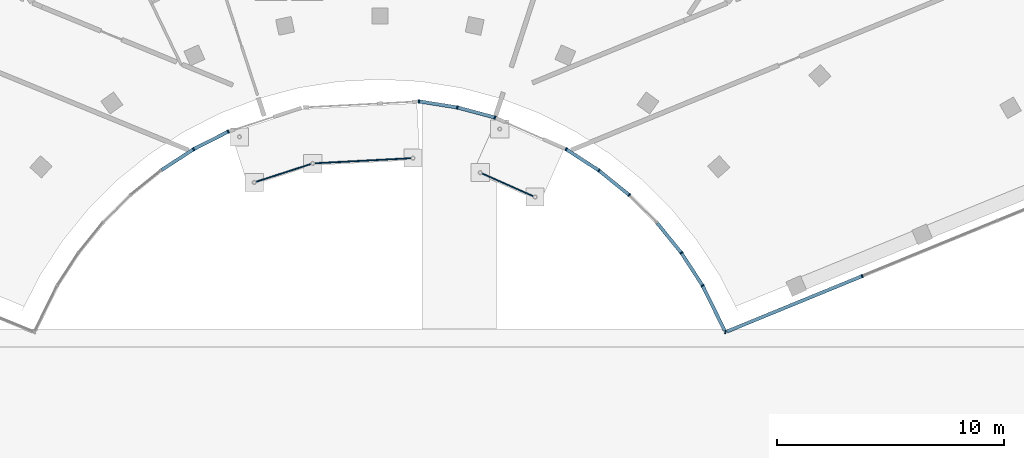
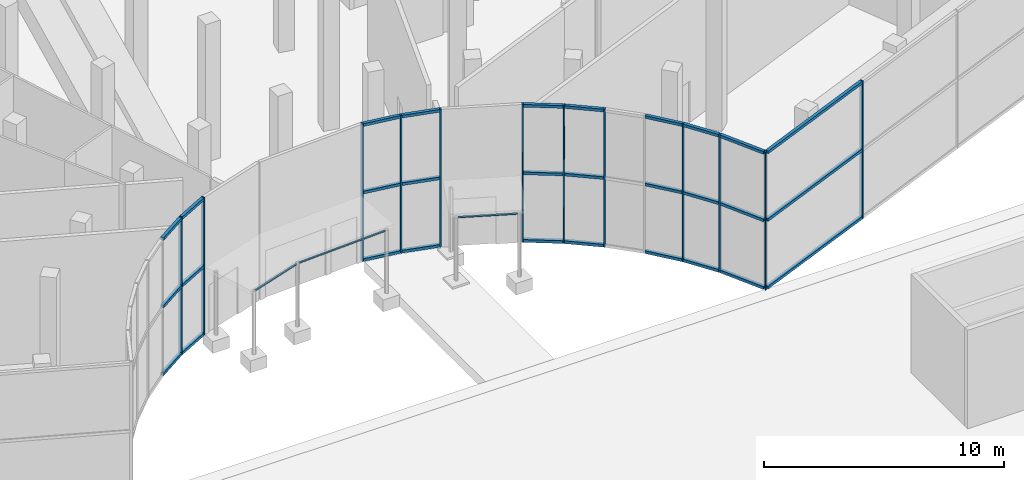
# One storey, part 10 of 60: 45 members, 2 elements without a shape of their own.
"""IFC4 building model written with IfcOpenShell, lengths in metres."""

from ifc_helpers import new_model, si_unit, direction, frame, origin, origin_2d, place, context, subcontext, project, spatial, rectangle, extrude, material, layer, layer_set, material_profile, profile_set, type_object, element, aggregate, save


model = new_model("IFC4")

# Units and contexts
model_context = context("Model", 3, precision=1e-05, world=origin(), true_north=direction((0.0, 1.0)))
body_context = subcontext(model_context, "Body", "Model", "MODEL_VIEW")
ifc_project = project(units=[si_unit("LENGTHUNIT", "METRE"), si_unit("AREAUNIT", "SQUARE_METRE"), si_unit("VOLUMEUNIT", "CUBIC_METRE"), si_unit("PLANEANGLEUNIT", "RADIAN"), si_unit("MASSUNIT", "GRAM", prefix="KILO")], contexts=[model_context])

# Site, building, storey
site_placement = place(None, origin())
site = spatial("IfcSite", under=ifc_project, at=site_placement, CompositionType="ELEMENT")
building_placement = place(site_placement, origin())
building = spatial("IfcBuilding", under=site, at=building_placement, Name="Stone Belt Terrace Tower", CompositionType="ELEMENT")
storey_placement = place(building_placement, origin())
storey = spatial("IfcBuildingStorey", under=building, at=storey_placement, Name="L00", CompositionType="ELEMENT", Elevation=0.0)

# Curtain wall, members
ifc_material_1 = material(Name="Aluminium 6063-T6 anodised frame", Category="aluminium")
ifc_layer = layer(ifc_material_1, 0.14990234375)
ifc_layer_set = layer_set([ifc_layer], Name="CW-D podium shopfront")
curtain_wall_type = type_object("IfcCurtainWallType", Name="CW-D podium shopfront", PredefinedType="NOTDEFINED", material=ifc_layer_set)
curtain_wall_1_placement = place(storey_placement, origin())
curtain_wall_1 = element("IfcCurtainWall", 1, at=curtain_wall_1_placement, inside=storey, type_object=curtain_wall_type, Name="CW-D concave face L00", PredefinedType="NOTDEFINED")
ifc_material_profile_1 = material_profile(ifc_material_1, rectangle(XDim=0.14990234375, YDim=0.06005859375, at=origin_2d()), Name="Aluminium 6063-T6 60x150")
ifc_profile_set_1 = profile_set([ifc_material_profile_1], Name="Aluminium 6063-T6 anodised frame")
member_type_1 = type_object("IfcMemberType", Name="CW-D mullion 60 x 150", PredefinedType="MULLION", material=ifc_profile_set_1)
member_1_placement = place(storey_placement, frame((-8.21240234375, 14.224365234375, 0.0), z_axis=(0.0, 0.0, 1.0), x_axis=(-0.5, 0.866025403784, 0.0)))
member_1 = element("IfcMember", 2, at=member_1_placement, type_object=member_type_1, Name="CW-D mullion 7", PredefinedType="MULLION", context=body_context, shape_type="SweptSolid", body=[
    extrude(rectangle(XDim=0.14990234375, YDim=0.06005859375, at=origin_2d()), origin(), (0.0, 0.0, 1.0), 7.0),
])
member_2_placement = place(storey_placement, frame((-6.682373046875, 15.00390625, 0.0), z_axis=(0.0, 0.0, 1.0), x_axis=(-0.382683432365, 0.923879532511, 0.0)))
member_2 = element("IfcMember", 3, at=member_2_placement, type_object=member_type_1, Name="CW-D mullion 8", PredefinedType="MULLION", context=body_context, shape_type="SweptSolid", body=[
    extrude(rectangle(XDim=0.14990234375, YDim=0.06005859375, at=origin_2d()), origin(), (0.0, 0.0, 1.0), 7.0),
])
member_3_placement = place(storey_placement, frame((1.720703125, 16.334228515625, 0.0), z_axis=(0.0, 0.0, 1.0), x_axis=(0.052335956243, 0.998629534755, 0.0)))
member_3 = element("IfcMember", 4, at=member_3_placement, type_object=member_type_1, Name="CW-D mullion 10", PredefinedType="MULLION", context=body_context, shape_type="SweptSolid", body=[
    extrude(rectangle(XDim=0.14990234375, YDim=0.06005859375, at=origin_2d()), origin(), (0.0, 0.0, 1.0), 7.0),
])
member_4_placement = place(storey_placement, frame((3.4150390625, 16.06591796875, 0.0), z_axis=(0.0, 0.0, 1.0), x_axis=(0.207911690818, 0.978147600734, 0.0)))
member_4 = element("IfcMember", 5, at=member_4_placement, type_object=member_type_1, Name="CW-D mullion 11", PredefinedType="MULLION", context=body_context, shape_type="SweptSolid", body=[
    extrude(rectangle(XDim=0.14990234375, YDim=0.06005859375, at=origin_2d()), origin(), (0.0, 0.0, 1.0), 7.0),
])
member_5_placement = place(storey_placement, frame((5.07373046875, 15.62158203125, 0.0), z_axis=(0.0, 0.0, 1.0), x_axis=(0.333806859234, 0.942641491092, 0.0)))
member_5 = element("IfcMember", 6, at=member_5_placement, type_object=member_type_1, Name="CW-D mullion 12", PredefinedType="MULLION", context=body_context, shape_type="SweptSolid", body=[
    extrude(rectangle(XDim=0.14990234375, YDim=0.06005859375, at=origin_2d()), origin(), (0.0, 0.0, 1.0), 7.0),
])
member_6_placement = place(storey_placement, frame((8.214111328125, 14.223388671875, 0.0), z_axis=(0.0, 0.0, 1.0), x_axis=(0.47715876026, 0.878817112662, 0.0)))
member_6 = element("IfcMember", 7, at=member_6_placement, type_object=member_type_1, Name="CW-D mullion 13", PredefinedType="MULLION", context=body_context, shape_type="SweptSolid", body=[
    extrude(rectangle(XDim=0.14990234375, YDim=0.06005859375, at=origin_2d()), origin(), (0.0, 0.0, 1.0), 7.0),
])
member_7_placement = place(storey_placement, frame((9.654296875, 13.2880859375, 0.0), z_axis=(0.0, 0.0, 1.0), x_axis=(0.587785252292, 0.809016994375, 0.0)))
member_7 = element("IfcMember", 8, at=member_7_placement, type_object=member_type_1, Name="CW-D mullion 14", PredefinedType="MULLION", context=body_context, shape_type="SweptSolid", body=[
    extrude(rectangle(XDim=0.14990234375, YDim=0.06005859375, at=origin_2d()), origin(), (0.0, 0.0, 1.0), 7.0),
])
member_8_placement = place(storey_placement, frame((10.990478515625, 12.2060546875, 0.0), z_axis=(0.0, 0.0, 1.0), x_axis=(0.669130606359, 0.743144825477, 0.0)))
member_8 = element("IfcMember", 9, at=member_8_placement, type_object=member_type_1, Name="CW-D mullion 15", PredefinedType="MULLION", context=body_context, shape_type="SweptSolid", body=[
    extrude(rectangle(XDim=0.14990234375, YDim=0.06005859375, at=origin_2d()), origin(), (0.0, 0.0, 1.0), 7.0),
])
member_9_placement = place(storey_placement, frame((13.2880859375, 9.654296875, 0.0), z_axis=(0.0, 0.0, 1.0), x_axis=(0.809016994375, 0.587785252292, 0.0)))
member_9 = element("IfcMember", 10, at=member_9_placement, type_object=member_type_1, Name="CW-D mullion 17", PredefinedType="MULLION", context=body_context, shape_type="SweptSolid", body=[
    extrude(rectangle(XDim=0.14990234375, YDim=0.06005859375, at=origin_2d()), origin(), (0.0, 0.0, 1.0), 7.0),
])
member_10_placement = place(storey_placement, frame((14.22412109375, 8.212890625, 0.0), z_axis=(0.0, 0.0, 1.0), x_axis=(0.869738782258, 0.493512361179, 0.0)))
member_10 = element("IfcMember", 11, at=member_10_placement, type_object=member_type_1, Name="CW-D mullion 18", PredefinedType="MULLION", context=body_context, shape_type="SweptSolid", body=[
    extrude(rectangle(XDim=0.14990234375, YDim=0.06005859375, at=origin_2d()), origin(), (0.0, 0.0, 1.0), 7.0),
])

curtain_wall_2_placement = place(storey_placement, origin())
curtain_wall_2 = element("IfcCurtainWall", 12, at=curtain_wall_2_placement, inside=storey, type_object=curtain_wall_type, Name="CW-D end face L00", PredefinedType="NOTDEFINED")
member_11_placement = place(storey_placement, frame((15.23095703125, 6.16162109375, 0.0), z_axis=(0.0, 0.0, 1.0), x_axis=(0.354860507923, 0.934919258501, 0.0)))
member_11 = element("IfcMember", 13, at=member_11_placement, type_object=member_type_1, Name="CW-D mullion 1", PredefinedType="MULLION", context=body_context, shape_type="SweptSolid", body=[
    extrude(rectangle(XDim=0.14990234375, YDim=0.06005859375, at=origin_2d()), origin(), (0.0, 0.0, 1.0), 7.0),
])
member_12_placement = place(storey_placement, frame((21.2587890625, 8.632080078125, 0.0), z_axis=(0.0, 0.0, 1.0), x_axis=(-0.379243093825, 0.925297074342, 0.0)))
member_12 = element("IfcMember", 14, at=member_12_placement, type_object=member_type_1, Name="CW-D mullion 2", PredefinedType="MULLION", context=body_context, shape_type="SweptSolid", body=[
    extrude(rectangle(XDim=0.14990234375, YDim=0.06005859375, at=origin_2d()), origin(), (0.0, 0.0, 1.0), 7.0),
])

# Member
ifc_material_profile_2 = material_profile(ifc_material_1, rectangle(XDim=0.14990234375, YDim=0.139892578125, at=origin_2d()), Name="Aluminium 6063-T6 150x140")
ifc_profile_set_2 = profile_set([ifc_material_profile_2], Name="Aluminium 6063-T6 anodised frame")
member_type_2 = type_object("IfcMemberType", Name="CW-D transom 140 x 150", PredefinedType="USERDEFINED", material=ifc_profile_set_2)
member_13_placement = place(storey_placement, frame((-9.6259765625, 13.306396484375, 0.070068359375), z_axis=(0.83867659651, 0.544629751727, 0.0), x_axis=(-0.544629751727, 0.83867659651, 0.0)))
member_13 = element("IfcMember", 15, at=member_13_placement, type_object=member_type_2, Name="CW-D transom 6.1", ObjectType="TRANSOM", PredefinedType="USERDEFINED", context=body_context, shape_type="SweptSolid", body=[
    extrude(rectangle(XDim=0.14990234375, YDim=0.139892578125, at=origin_2d()), origin(), (0.0, 0.0, 1.0), 1.6513671875),
])

member_14_placement = place(storey_placement, frame((-9.6259765625, 13.306396484375, 3.5), z_axis=(0.83867659651, 0.544629751727, 0.0), x_axis=(-0.544629751727, 0.83867659651, 0.0)))
member_14 = element("IfcMember", 16, at=member_14_placement, type_object=member_type_2, Name="CW-D transom 6.2", ObjectType="TRANSOM", PredefinedType="USERDEFINED", context=body_context, shape_type="SweptSolid", body=[
    extrude(rectangle(XDim=0.14990234375, YDim=0.139892578125, at=origin_2d()), origin(), (0.0, 0.0, 1.0), 1.6513671875),
])

member_15_placement = place(storey_placement, frame((-9.6259765625, 13.306396484375, 6.929931640625), z_axis=(0.83867659651, 0.544629751727, 0.0), x_axis=(-0.544629751727, 0.83867659651, 0.0)))
member_15 = element("IfcMember", 17, at=member_15_placement, type_object=member_type_2, Name="CW-D transom 6.3", ObjectType="TRANSOM", PredefinedType="USERDEFINED", context=body_context, shape_type="SweptSolid", body=[
    extrude(rectangle(XDim=0.14990234375, YDim=0.139892578125, at=origin_2d()), origin(), (0.0, 0.0, 1.0), 1.6513671875),
])

member_16_placement = place(storey_placement, frame((-8.182373046875, 14.23974609375, 0.070068359375), z_axis=(0.890993129061, 0.454016788199, 0.0), x_axis=(-0.454016788199, 0.890993129061, 0.0)))
member_16 = element("IfcMember", 18, at=member_16_placement, type_object=member_type_2, Name="CW-D transom 7.1", ObjectType="TRANSOM", PredefinedType="USERDEFINED", context=body_context, shape_type="SweptSolid", body=[
    extrude(rectangle(XDim=0.14990234375, YDim=0.139892578125, at=origin_2d()), origin(), (0.0, 0.0, 1.0), 1.647705078125),
])

member_17_placement = place(storey_placement, frame((-8.182373046875, 14.23974609375, 3.5), z_axis=(0.890993129061, 0.454016788199, 0.0), x_axis=(-0.454016788199, 0.890993129061, 0.0)))
member_17 = element("IfcMember", 19, at=member_17_placement, type_object=member_type_2, Name="CW-D transom 7.2", ObjectType="TRANSOM", PredefinedType="USERDEFINED", context=body_context, shape_type="SweptSolid", body=[
    extrude(rectangle(XDim=0.14990234375, YDim=0.139892578125, at=origin_2d()), origin(), (0.0, 0.0, 1.0), 1.647705078125),
])

member_18_placement = place(storey_placement, frame((-8.182373046875, 14.23974609375, 6.929931640625), z_axis=(0.890993129061, 0.454016788199, 0.0), x_axis=(-0.454016788199, 0.890993129061, 0.0)))
member_18 = element("IfcMember", 20, at=member_18_placement, type_object=member_type_2, Name="CW-D transom 7.3", ObjectType="TRANSOM", PredefinedType="USERDEFINED", context=body_context, shape_type="SweptSolid", body=[
    extrude(rectangle(XDim=0.14990234375, YDim=0.139892578125, at=origin_2d()), origin(), (0.0, 0.0, 1.0), 1.647705078125),
])

member_19_placement = place(storey_placement, frame((1.758056640625, 16.328369140625, 0.070068359375), z_axis=(0.987690593069, -0.156420242819, 0.0), x_axis=(0.156420242819, 0.987690593069, 0.0)))
member_19 = element("IfcMember", 21, at=member_19_placement, type_object=member_type_2, Name="CW-D transom 10.1", ObjectType="TRANSOM", PredefinedType="USERDEFINED", context=body_context, shape_type="SweptSolid", body=[
    extrude(rectangle(XDim=0.14990234375, YDim=0.139892578125, at=origin_2d()), origin(), (0.0, 0.0, 1.0), 1.6435546875),
])

member_20_placement = place(storey_placement, frame((1.758056640625, 16.328369140625, 3.5), z_axis=(0.987690593069, -0.156420242819, 0.0), x_axis=(0.156420242819, 0.987690593069, 0.0)))
member_20 = element("IfcMember", 22, at=member_20_placement, type_object=member_type_2, Name="CW-D transom 10.2", ObjectType="TRANSOM", PredefinedType="USERDEFINED", context=body_context, shape_type="SweptSolid", body=[
    extrude(rectangle(XDim=0.14990234375, YDim=0.139892578125, at=origin_2d()), origin(), (0.0, 0.0, 1.0), 1.6435546875),
])

member_21_placement = place(storey_placement, frame((1.758056640625, 16.328369140625, 6.929931640625), z_axis=(0.987690593069, -0.156420242819, 0.0), x_axis=(0.156420242819, 0.987690593069, 0.0)))
member_21 = element("IfcMember", 23, at=member_21_placement, type_object=member_type_2, Name="CW-D transom 10.3", ObjectType="TRANSOM", PredefinedType="USERDEFINED", context=body_context, shape_type="SweptSolid", body=[
    extrude(rectangle(XDim=0.14990234375, YDim=0.139892578125, at=origin_2d()), origin(), (0.0, 0.0, 1.0), 1.6435546875),
])

member_22_placement = place(storey_placement, frame((3.44775390625, 16.05712890625, 0.070068359375), z_axis=(0.965944083024, -0.258750900424, 0.0), x_axis=(0.258750900424, 0.965944083024, 0.0)))
member_22 = element("IfcMember", 24, at=member_22_placement, type_object=member_type_2, Name="CW-D transom 11.1", ObjectType="TRANSOM", PredefinedType="USERDEFINED", context=body_context, shape_type="SweptSolid", body=[
    extrude(rectangle(XDim=0.14990234375, YDim=0.139892578125, at=origin_2d()), origin(), (0.0, 0.0, 1.0), 1.6474609375),
])

member_23_placement = place(storey_placement, frame((3.44775390625, 16.05712890625, 3.5), z_axis=(0.965944083024, -0.258750900424, 0.0), x_axis=(0.258750900424, 0.965944083024, 0.0)))
member_23 = element("IfcMember", 25, at=member_23_placement, type_object=member_type_2, Name="CW-D transom 11.2", ObjectType="TRANSOM", PredefinedType="USERDEFINED", context=body_context, shape_type="SweptSolid", body=[
    extrude(rectangle(XDim=0.14990234375, YDim=0.139892578125, at=origin_2d()), origin(), (0.0, 0.0, 1.0), 1.6474609375),
])

member_24_placement = place(storey_placement, frame((3.44775390625, 16.05712890625, 6.929931640625), z_axis=(0.965944083024, -0.258750900424, 0.0), x_axis=(0.258750900424, 0.965944083024, 0.0)))
member_24 = element("IfcMember", 26, at=member_24_placement, type_object=member_type_2, Name="CW-D transom 11.3", ObjectType="TRANSOM", PredefinedType="USERDEFINED", context=body_context, shape_type="SweptSolid", body=[
    extrude(rectangle(XDim=0.14990234375, YDim=0.139892578125, at=origin_2d()), origin(), (0.0, 0.0, 1.0), 1.6474609375),
])

member_25_placement = place(storey_placement, frame((8.244140625, 14.203857421875, 0.070068359375), z_axis=(0.838646674443, -0.544675826016, 0.0), x_axis=(0.544675826016, 0.838646674443, 0.0)))
member_25 = element("IfcMember", 27, at=member_25_placement, type_object=member_type_2, Name="CW-D transom 13.1", ObjectType="TRANSOM", PredefinedType="USERDEFINED", context=body_context, shape_type="SweptSolid", body=[
    extrude(rectangle(XDim=0.14990234375, YDim=0.139892578125, at=origin_2d()), origin(), (0.0, 0.0, 1.0), 1.647705078125),
])

member_26_placement = place(storey_placement, frame((8.244140625, 14.203857421875, 3.5), z_axis=(0.838646674443, -0.544675826016, 0.0), x_axis=(0.544675826016, 0.838646674443, 0.0)))
member_26 = element("IfcMember", 28, at=member_26_placement, type_object=member_type_2, Name="CW-D transom 13.2", ObjectType="TRANSOM", PredefinedType="USERDEFINED", context=body_context, shape_type="SweptSolid", body=[
    extrude(rectangle(XDim=0.14990234375, YDim=0.139892578125, at=origin_2d()), origin(), (0.0, 0.0, 1.0), 1.647705078125),
])

member_27_placement = place(storey_placement, frame((8.244140625, 14.203857421875, 6.929931640625), z_axis=(0.838646674443, -0.544675826016, 0.0), x_axis=(0.544675826016, 0.838646674443, 0.0)))
member_27 = element("IfcMember", 29, at=member_27_placement, type_object=member_type_2, Name="CW-D transom 13.3", ObjectType="TRANSOM", PredefinedType="USERDEFINED", context=body_context, shape_type="SweptSolid", body=[
    extrude(rectangle(XDim=0.14990234375, YDim=0.139892578125, at=origin_2d()), origin(), (0.0, 0.0, 1.0), 1.647705078125),
])

member_28_placement = place(storey_placement, frame((9.6806640625, 13.2666015625, 0.070068359375), z_axis=(0.777148467562, -0.629317296255, 0.0), x_axis=(0.629317296255, 0.777148467562, 0.0)))
member_28 = element("IfcMember", 30, at=member_28_placement, type_object=member_type_2, Name="CW-D transom 14.1", ObjectType="TRANSOM", PredefinedType="USERDEFINED", context=body_context, shape_type="SweptSolid", body=[
    extrude(rectangle(XDim=0.14990234375, YDim=0.139892578125, at=origin_2d()), origin(), (0.0, 0.0, 1.0), 1.6513671875),
])

member_29_placement = place(storey_placement, frame((9.6806640625, 13.2666015625, 3.5), z_axis=(0.777148467562, -0.629317296255, 0.0), x_axis=(0.629317296255, 0.777148467562, 0.0)))
member_29 = element("IfcMember", 31, at=member_29_placement, type_object=member_type_2, Name="CW-D transom 14.2", ObjectType="TRANSOM", PredefinedType="USERDEFINED", context=body_context, shape_type="SweptSolid", body=[
    extrude(rectangle(XDim=0.14990234375, YDim=0.139892578125, at=origin_2d()), origin(), (0.0, 0.0, 1.0), 1.6513671875),
])

member_30_placement = place(storey_placement, frame((9.6806640625, 13.2666015625, 6.929931640625), z_axis=(0.777148467562, -0.629317296255, 0.0), x_axis=(0.629317296255, 0.777148467562, 0.0)))
member_30 = element("IfcMember", 32, at=member_30_placement, type_object=member_type_2, Name="CW-D transom 14.3", ObjectType="TRANSOM", PredefinedType="USERDEFINED", context=body_context, shape_type="SweptSolid", body=[
    extrude(rectangle(XDim=0.14990234375, YDim=0.139892578125, at=origin_2d()), origin(), (0.0, 0.0, 1.0), 1.6513671875),
])

member_31_placement = place(storey_placement, frame((12.227294921875, 10.964111328125, 0.070068359375), z_axis=(0.629317296255, -0.777148467562, 0.0), x_axis=(0.777148467562, 0.629317296255, 0.0)))
member_31 = element("IfcMember", 33, at=member_31_placement, type_object=member_type_2, Name="CW-D transom 16.1", ObjectType="TRANSOM", PredefinedType="USERDEFINED", context=body_context, shape_type="SweptSolid", body=[
    extrude(rectangle(XDim=0.14990234375, YDim=0.139892578125, at=origin_2d()), origin(), (0.0, 0.0, 1.0), 1.6513671875),
])

member_32_placement = place(storey_placement, frame((12.227294921875, 10.964111328125, 3.5), z_axis=(0.629317296255, -0.777148467562, 0.0), x_axis=(0.777148467562, 0.629317296255, 0.0)))
member_32 = element("IfcMember", 34, at=member_32_placement, type_object=member_type_2, Name="CW-D transom 16.2", ObjectType="TRANSOM", PredefinedType="USERDEFINED", context=body_context, shape_type="SweptSolid", body=[
    extrude(rectangle(XDim=0.14990234375, YDim=0.139892578125, at=origin_2d()), origin(), (0.0, 0.0, 1.0), 1.6513671875),
])

member_33_placement = place(storey_placement, frame((12.227294921875, 10.964111328125, 6.929931640625), z_axis=(0.629317296255, -0.777148467562, 0.0), x_axis=(0.777148467562, 0.629317296255, 0.0)))
member_33 = element("IfcMember", 35, at=member_33_placement, type_object=member_type_2, Name="CW-D transom 16.3", ObjectType="TRANSOM", PredefinedType="USERDEFINED", context=body_context, shape_type="SweptSolid", body=[
    extrude(rectangle(XDim=0.14990234375, YDim=0.139892578125, at=origin_2d()), origin(), (0.0, 0.0, 1.0), 1.6513671875),
])

member_34_placement = place(storey_placement, frame((13.306396484375, 9.6259765625, 0.070068359375), z_axis=(0.544624359877, -0.838680097909, 0.0), x_axis=(0.838680097909, 0.544624359877, 0.0)))
member_34 = element("IfcMember", 36, at=member_34_placement, type_object=member_type_2, Name="CW-D transom 17.1", ObjectType="TRANSOM", PredefinedType="USERDEFINED", context=body_context, shape_type="SweptSolid", body=[
    extrude(rectangle(XDim=0.14990234375, YDim=0.139892578125, at=origin_2d()), origin(), (0.0, 0.0, 1.0), 1.650634765625),
])

member_35_placement = place(storey_placement, frame((13.306396484375, 9.6259765625, 3.5), z_axis=(0.544624359877, -0.838680097909, 0.0), x_axis=(0.838680097909, 0.544624359877, 0.0)))
member_35 = element("IfcMember", 37, at=member_35_placement, type_object=member_type_2, Name="CW-D transom 17.2", ObjectType="TRANSOM", PredefinedType="USERDEFINED", context=body_context, shape_type="SweptSolid", body=[
    extrude(rectangle(XDim=0.14990234375, YDim=0.139892578125, at=origin_2d()), origin(), (0.0, 0.0, 1.0), 1.650634765625),
])

member_36_placement = place(storey_placement, frame((13.306396484375, 9.6259765625, 6.929931640625), z_axis=(0.544624359877, -0.838680097909, 0.0), x_axis=(0.838680097909, 0.544624359877, 0.0)))
member_36 = element("IfcMember", 38, at=member_36_placement, type_object=member_type_2, Name="CW-D transom 17.3", ObjectType="TRANSOM", PredefinedType="USERDEFINED", context=body_context, shape_type="SweptSolid", body=[
    extrude(rectangle(XDim=0.14990234375, YDim=0.139892578125, at=origin_2d()), origin(), (0.0, 0.0, 1.0), 1.650634765625),
])

member_37_placement = place(storey_placement, frame((14.2392578125, 8.18212890625, 0.070068359375), z_axis=(0.44060912848, -0.897699056422, 0.0), x_axis=(0.897699056422, 0.44060912848, 0.0)))
member_37 = element("IfcMember", 39, at=member_37_placement, type_object=member_type_2, Name="CW-D transom 18.1", ObjectType="TRANSOM", PredefinedType="USERDEFINED", context=body_context, shape_type="SweptSolid", body=[
    extrude(rectangle(XDim=0.14990234375, YDim=0.139892578125, at=origin_2d()), origin(), (0.0, 0.0, 1.0), 2.177490234375),
])

member_38_placement = place(storey_placement, frame((14.2392578125, 8.18212890625, 3.5), z_axis=(0.44060912848, -0.897699056422, 0.0), x_axis=(0.897699056422, 0.44060912848, 0.0)))
member_38 = element("IfcMember", 40, at=member_38_placement, type_object=member_type_2, Name="CW-D transom 18.2", ObjectType="TRANSOM", PredefinedType="USERDEFINED", context=body_context, shape_type="SweptSolid", body=[
    extrude(rectangle(XDim=0.14990234375, YDim=0.139892578125, at=origin_2d()), origin(), (0.0, 0.0, 1.0), 2.177490234375),
])

member_39_placement = place(storey_placement, frame((14.2392578125, 8.18212890625, 6.929931640625), z_axis=(0.44060912848, -0.897699056422, 0.0), x_axis=(0.897699056422, 0.44060912848, 0.0)))
member_39 = element("IfcMember", 41, at=member_39_placement, type_object=member_type_2, Name="CW-D transom 18.3", ObjectType="TRANSOM", PredefinedType="USERDEFINED", context=body_context, shape_type="SweptSolid", body=[
    extrude(rectangle(XDim=0.14990234375, YDim=0.139892578125, at=origin_2d()), origin(), (0.0, 0.0, 1.0), 2.177490234375),
])

aggregate(curtain_wall_1, [member_1, member_2, member_3, member_4, member_5, member_6, member_7, member_8, member_9, member_10, member_13, member_14, member_15, member_16, member_17, member_18, member_19, member_20, member_21, member_22, member_23, member_24, member_25, member_26, member_27, member_28, member_29, member_30, member_31, member_32, member_33, member_34, member_35, member_36, member_37, member_38, member_39])

member_40_placement = place(storey_placement, frame((15.298583984375, 6.189208984375, 0.070068359375), z_axis=(0.925291995724, 0.379255484667, 0.0), x_axis=(-0.379255484667, 0.925291995724, 0.0)))
member_40 = element("IfcMember", 42, at=member_40_placement, type_object=member_type_2, Name="CW-D transom 1.1", ObjectType="TRANSOM", PredefinedType="USERDEFINED", context=body_context, shape_type="SweptSolid", body=[
    extrude(rectangle(XDim=0.14990234375, YDim=0.139892578125, at=origin_2d()), origin(), (0.0, 0.0, 1.0), 6.41162109375),
])

member_41_placement = place(storey_placement, frame((15.298583984375, 6.189208984375, 3.5), z_axis=(0.925291995724, 0.379255484667, 0.0), x_axis=(-0.379255484667, 0.925291995724, 0.0)))
member_41 = element("IfcMember", 43, at=member_41_placement, type_object=member_type_2, Name="CW-D transom 1.2", ObjectType="TRANSOM", PredefinedType="USERDEFINED", context=body_context, shape_type="SweptSolid", body=[
    extrude(rectangle(XDim=0.14990234375, YDim=0.139892578125, at=origin_2d()), origin(), (0.0, 0.0, 1.0), 6.41162109375),
])

member_42_placement = place(storey_placement, frame((15.298583984375, 6.189208984375, 6.929931640625), z_axis=(0.925291995724, 0.379255484667, 0.0), x_axis=(-0.379255484667, 0.925291995724, 0.0)))
member_42 = element("IfcMember", 44, at=member_42_placement, type_object=member_type_2, Name="CW-D transom 1.3", ObjectType="TRANSOM", PredefinedType="USERDEFINED", context=body_context, shape_type="SweptSolid", body=[
    extrude(rectangle(XDim=0.14990234375, YDim=0.139892578125, at=origin_2d()), origin(), (0.0, 0.0, 1.0), 6.41162109375),
])

aggregate(curtain_wall_2, [member_11, member_12, member_40, member_41, member_42])

# Members
ifc_material_2 = material(Name="Stainless steel AISI 304", Category="steel")
ifc_material_profile_3 = material_profile(ifc_material_2, rectangle(XDim=0.050048828125, YDim=0.050048828125, at=origin_2d()), Name="Stainless steel AISI 304 50x50")
ifc_profile_set_3 = profile_set([ifc_material_profile_3], Name="Stainless steel AISI 304")
member_type_3 = type_object("IfcMemberType", Name="Canopy drip edge 50 x 50", PredefinedType="MEMBER", material=ifc_profile_set_3)
member_43_placement = place(storey_placement, frame((-5.459716796875, 12.788330078125, 3.175048828125), z_axis=(0.951129926125, 0.30879097077, 0.0), x_axis=(-0.30879097077, 0.951129926125, 0.0)))
element("IfcMember", 45, at=member_43_placement, inside=storey, type_object=member_type_3, Name="DRIP EDGE of entrance canopy", PredefinedType="MEMBER", context=body_context, shape_type="SweptSolid", body=[
    extrude(rectangle(XDim=0.050048828125, YDim=0.050048828125, at=origin_2d()), origin(), (0.0, 0.0, 1.0), 2.544189453125),
])
member_44_placement = place(storey_placement, frame((-2.8759765625, 13.604248046875, 3.175048828125), z_axis=(0.998619254771, 0.0525317428, 0.0), x_axis=(-0.0525317428, 0.998619254771, 0.0)))
element("IfcMember", 46, at=member_44_placement, inside=storey, type_object=member_type_3, Name="DRIP EDGE of entrance canopy", PredefinedType="MEMBER", context=body_context, shape_type="SweptSolid", body=[
    extrude(rectangle(XDim=0.050048828125, YDim=0.050048828125, at=origin_2d()), origin(), (0.0, 0.0, 1.0), 4.257080078125),
])
member_45_placement = place(storey_placement, frame((4.499755859375, 13.156982421875, 3.175048828125), z_axis=(0.913543569123, -0.406740884734, 0.0), x_axis=(0.406740884734, 0.913543569123, 0.0)))
element("IfcMember", 47, at=member_45_placement, inside=storey, type_object=member_type_3, Name="DRIP EDGE of entrance canopy", PredefinedType="MEMBER", context=body_context, shape_type="SweptSolid", body=[
    extrude(rectangle(XDim=0.050048828125, YDim=0.050048828125, at=origin_2d()), origin(), (0.0, 0.0, 1.0), 2.4814453125),
])

save(model, "model.ifc")
